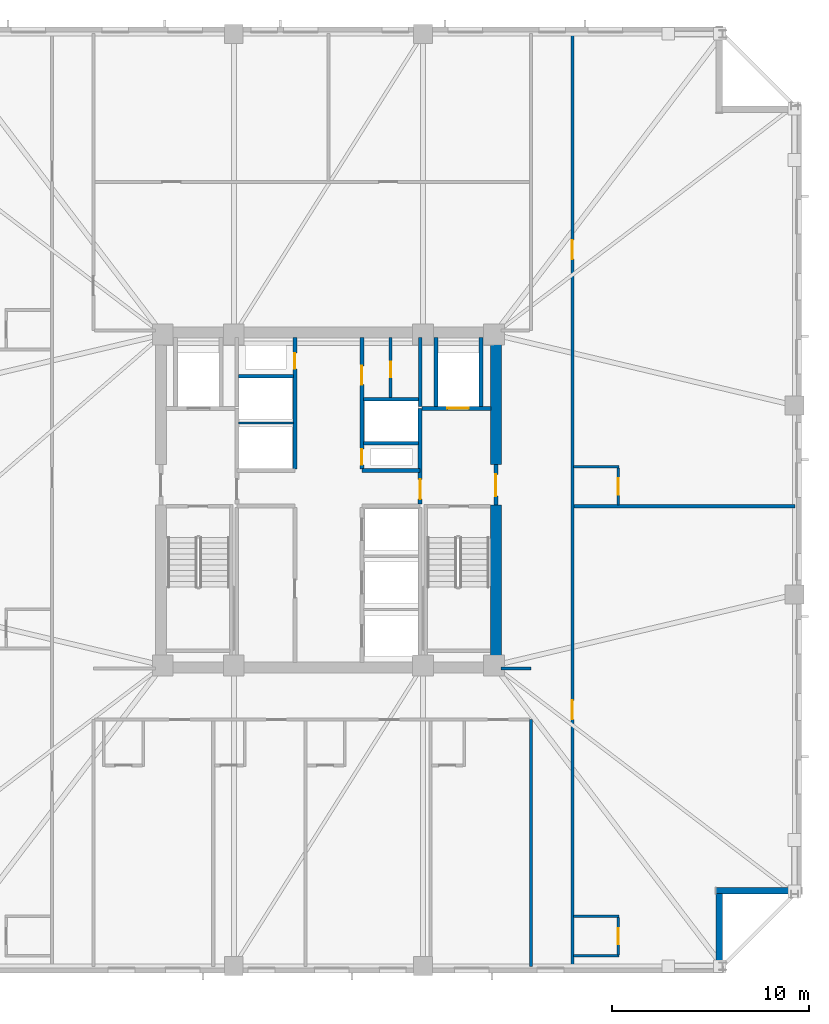
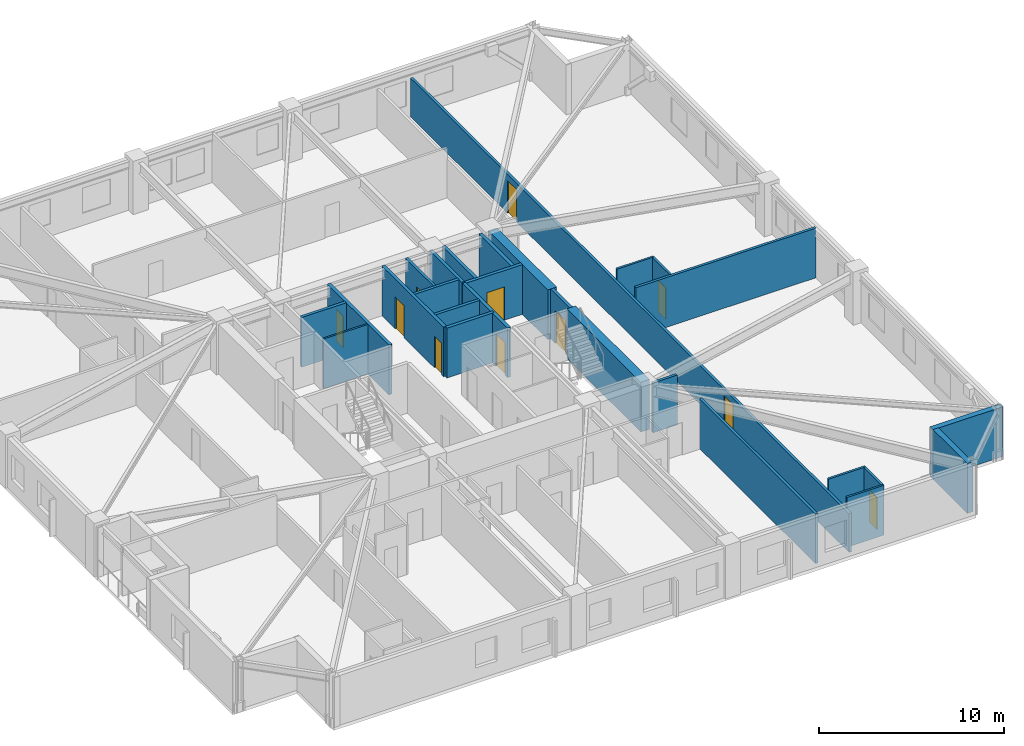
# One storey, part 4 of 10: 27 walls, 11 doors, 11 openings.
"""IFC4 building model written with IfcOpenShell, lengths in metres."""

from ifc_helpers import new_model, si_unit, direction, frame, frame_2d, origin, place, context, subcontext, project, spatial, rectangle, extrude, material, layer, layer_set, type_object, element, fill, save


model = new_model("IFC4")

# Units and contexts
model_context = context("Model", 3, precision=1e-05, world=origin(), true_north=direction((0.0, 1.0)))
body_context = subcontext(model_context, "Body", "Model", "MODEL_VIEW")
ifc_project = project(units=[si_unit("LENGTHUNIT", "METRE"), si_unit("AREAUNIT", "SQUARE_METRE"), si_unit("VOLUMEUNIT", "CUBIC_METRE"), si_unit("PLANEANGLEUNIT", "RADIAN"), si_unit("MASSUNIT", "GRAM", prefix="KILO")], contexts=[model_context])

# Site, building, storey
site_placement = place(None, origin())
site = spatial("IfcSite", under=ifc_project, at=site_placement, CompositionType="ELEMENT")
building_placement = place(site_placement, origin())
building = spatial("IfcBuilding", under=site, at=building_placement, Name="Cairnveth Concourse Tower", CompositionType="ELEMENT")
storey_placement = place(building_placement, frame((0.0, 0.0, 137.5)))
storey = spatial("IfcBuildingStorey", under=building, at=storey_placement, Name="L37", CompositionType="ELEMENT", Elevation=137.5)

# Wall, opening, door
ifc_material_1 = material(Name="Gypsum Plasterboard Partition", Category="gypsum")
ifc_layer_1 = layer(ifc_material_1, 0.159912109375)
ifc_layer_set_1 = layer_set([ifc_layer_1], Name="Gypsum Plasterboard Partition")
wall_type_1 = type_object("IfcWallType", Name="ACOUSTIC PARTY WALL 180", PredefinedType="PARTITIONING", material=ifc_layer_set_1)
wall_1_placement = place(storey_placement, frame((55.14990234375, 44.195068359375, 0.0), z_axis=(0.0, 0.0, 1.0), x_axis=(0.0, 1.0, 0.0)))
wall_1 = element("IfcWall", 1, at=wall_1_placement, inside=storey, type_object=wall_type_1, Name="Interior Wall IW-L37-035", PredefinedType="PARTITIONING", context=body_context, shape_type="SweptSolid", body=[
    extrude(rectangle(XDim=3.044921875, YDim=0.159912109375, at=frame_2d((1.5224609375, 0.0))), origin(), (0.0, 0.0, 1.0), 3.280029296875),
])
opening_1_placement = place(wall_1_placement, frame((1.02490234375, 0.0, 0.0)))
opening_1 = element("IfcOpeningElement", 2, at=opening_1_placement, cuts=wall_1, Name="Opening ID23", PredefinedType="OPENING", context=body_context, shape_type="SweptSolid", body=[
    extrude(rectangle(XDim=0.800048828125, YDim=2.10009765625, at=frame_2d((0.39990234375, 1.050048828125))), frame((0.0, 0.08984375, 0.0), z_axis=(0.0, -1.0, 0.0), x_axis=(1.0, 0.0, 0.0)), (0.0, 0.0, 1.0), 0.179931640625),
])
ifc_material_2 = material(Name="Steel Grade 350", Category="steel")
door_type_1 = type_object("IfcDoorType", Name="CORE SERVICE DOOR 800X2100", OperationType="NOTDEFINED", PredefinedType="DOOR", material=ifc_material_2)
door_1_placement = place(opening_1_placement, origin())
door_1 = element("IfcDoor", 3, at=door_1_placement, inside=storey, type_object=door_type_1, Name="NE Linen Closet Door L37", OperationType="SINGLE_SWING_RIGHT", OverallHeight=2.10009765625, OverallWidth=0.800048828125, PredefinedType="DOOR", context=body_context, shape_type="SweptSolid", body=[
    extrude(rectangle(XDim=0.800048828125, YDim=2.10009765625, at=frame_2d((0.39990234375, 1.050048828125))), frame((0.0, 0.02490234375, 0.0), z_axis=(0.0, -1.0, 0.0), x_axis=(1.0, 0.0, 0.0)), (0.0, 0.0, 1.0), 0.050048828125),
])
fill(opening_1, door_1)

# Wall, openings, doors
wall_2_placement = place(storey_placement, frame((64.375, 15.324951171875, 0.0), z_axis=(0.0, 0.0, 1.0), x_axis=(0.0, 1.0, 0.0)))
wall_2 = element("IfcWall", 4, at=wall_2_placement, inside=storey, type_object=wall_type_1, Name="Interior Wall IW-L37-041", PredefinedType="PARTITIONING", context=body_context, shape_type="SweptSolid", body=[
    extrude(rectangle(XDim=47.35009765625, YDim=0.159912109375, at=frame_2d((23.675048828125, 0.0))), origin(), (0.0, 0.0, 1.0), 2.554931640625),
])
opening_2_placement = place(wall_2_placement, frame((12.546630859375, 0.0, 0.0)))
opening_2 = element("IfcOpeningElement", 5, at=opening_2_placement, cuts=wall_2, Name="Opening ID09", PredefinedType="OPENING", context=body_context, shape_type="SweptSolid", body=[
    extrude(rectangle(XDim=0.9599609375, YDim=2.14990234375, at=frame_2d((0.47998046875, 1.074951171875))), frame((0.0, 0.08984375, 0.0), z_axis=(0.0, -1.0, 0.0), x_axis=(1.0, 0.0, 0.0)), (0.0, 0.0, 1.0), 0.179931640625),
])
opening_3_placement = place(wall_2_placement, frame((35.901611328125, 0.0, 0.0)))
opening_3 = element("IfcOpeningElement", 6, at=opening_3_placement, cuts=wall_2, Name="Opening ID09", PredefinedType="OPENING", context=body_context, shape_type="SweptSolid", body=[
    extrude(rectangle(XDim=0.9599609375, YDim=2.14990234375, at=frame_2d((0.47998046875, 1.074951171875))), frame((0.0, 0.08984375, 0.0), z_axis=(0.0, -1.0, 0.0), x_axis=(1.0, 0.0, 0.0)), (0.0, 0.0, 1.0), 0.179931640625),
])
ifc_material_3 = material(Name="Solid Core Hardwood Timber Leaf", Category="wood")
door_type_2 = type_object("IfcDoorType", Name="HOTEL ENTRANCE DOOR 960X2150", OperationType="NOTDEFINED", PredefinedType="DOOR", material=ifc_material_3)
door_2_placement = place(opening_2_placement, origin())
door_2 = element("IfcDoor", 7, at=door_2_placement, inside=storey, type_object=door_type_2, Name="Hotel Room Door L37-E1", OperationType="SINGLE_SWING_LEFT", OverallHeight=2.14990234375, OverallWidth=0.9599609375, PredefinedType="DOOR", context=body_context, shape_type="SweptSolid", body=[
    extrude(rectangle(XDim=0.9599609375, YDim=2.14990234375, at=frame_2d((0.47998046875, 1.074951171875))), frame((0.0, 0.02490234375, 0.0), z_axis=(0.0, -1.0, 0.0), x_axis=(1.0, 0.0, 0.0)), (0.0, 0.0, 1.0), 0.050048828125),
])
fill(opening_2, door_2)
door_3_placement = place(opening_3_placement, origin())
door_3 = element("IfcDoor", 8, at=door_3_placement, inside=storey, type_object=door_type_2, Name="Hotel Room Door L37-E2", OperationType="SINGLE_SWING_LEFT", OverallHeight=2.14990234375, OverallWidth=0.9599609375, PredefinedType="DOOR", context=body_context, shape_type="SweptSolid", body=[
    extrude(rectangle(XDim=0.9599609375, YDim=2.14990234375, at=frame_2d((0.47998046875, 1.074951171875))), frame((0.0, 0.02490234375, 0.0), z_axis=(0.0, -1.0, 0.0), x_axis=(1.0, 0.0, 0.0)), (0.0, 0.0, 1.0), 0.050048828125),
])
fill(opening_3, door_3)

# Walls
wall_3_placement = place(storey_placement, frame((62.27490234375, 15.324951171875, 0.0), z_axis=(0.0, 0.0, 1.0), x_axis=(0.0, 1.0, 0.0)))
element("IfcWall", 9, at=wall_3_placement, inside=storey, type_object=wall_type_1, Name="Interior Wall IW-L37-042", PredefinedType="PARTITIONING", context=body_context, shape_type="SweptSolid", body=[
    extrude(rectangle(XDim=12.53515625, YDim=0.159912109375, at=frame_2d((6.267578125, 0.0))), origin(), (0.0, 0.0, 1.0), 3.280029296875),
])
wall_4_placement = place(storey_placement, frame((60.764892578125, 30.449951171875, 0.0), z_axis=(0.0, 0.0, 1.0), x_axis=(1.0, 0.0, 0.0)))
element("IfcWall", 10, at=wall_4_placement, inside=storey, type_object=wall_type_1, Name="Interior Wall IW-L37-044", PredefinedType="PARTITIONING", context=body_context, shape_type="SweptSolid", body=[
    extrude(rectangle(XDim=1.510009765625, YDim=0.159912109375, at=frame_2d((0.7548828125, 0.0))), origin(), (0.0, 0.0, 1.0), 3.280029296875),
])
wall_5_placement = place(storey_placement, frame((64.455078125, 38.68310546875, 0.0), z_axis=(0.0, 0.0, 1.0), x_axis=(1.0, 0.0, 0.0)))
element("IfcWall", 11, at=wall_5_placement, inside=storey, type_object=wall_type_1, Name="Interior Wall IW-L37-073", PredefinedType="PARTITIONING", context=body_context, shape_type="SweptSolid", body=[
    extrude(rectangle(XDim=11.219970703125, YDim=0.159912109375, at=frame_2d((5.60986328125, 0.0))), origin(), (0.0, 0.0, 1.0), 3.280029296875),
])
ifc_material_4 = material(Name="Concrete N80 (80 MPa)", Category="concrete")
ifc_layer_2 = layer(ifc_material_4, 0.550048828125)
ifc_layer_set_2 = layer_set([ifc_layer_2], Name="Concrete N80 (80 MPa)")
wall_type_2 = type_object("IfcWallType", Name="CORE SHEAR WALL 550", PredefinedType="SHEAR", material=ifc_layer_set_2)
wall_6_placement = place(storey_placement, frame((60.5, 30.764892578125, 0.0), z_axis=(0.0, 0.0, 1.0), x_axis=(0.0, 1.0, 0.0)))
element("IfcWall", 12, at=wall_6_placement, inside=storey, type_object=wall_type_2, Name="Core East Shear Wall S L37", PredefinedType="SHEAR", context=body_context, shape_type="SweptSolid", body=[
    extrude(rectangle(XDim=7.985107421875, YDim=0.550048828125, at=frame_2d((3.99267578125, 0.0))), origin(), (0.0, 0.0, 1.0), 3.280029296875),
])
wall_7_placement = place(storey_placement, frame((60.5, 40.800048828125, 0.0), z_axis=(0.0, 0.0, 1.0), x_axis=(0.0, 1.0, 0.0)))
element("IfcWall", 13, at=wall_7_placement, inside=storey, type_object=wall_type_2, Name="Core East Shear Wall N L37", PredefinedType="SHEAR", context=body_context, shape_type="SweptSolid", body=[
    extrude(rectangle(XDim=6.43505859375, YDim=0.550048828125, at=frame_2d((3.217529296875, 0.0))), origin(), (0.0, 0.0, 1.0), 3.280029296875),
])
ifc_material_5 = material(Name="Concrete N50 (50 MPa)", Category="concrete")
ifc_layer_3 = layer(ifc_material_5, 0.179931640625)
ifc_layer_set_3 = layer_set([ifc_layer_3], Name="Concrete N50 (50 MPa)")
wall_type_3 = type_object("IfcWallType", Name="FIRE SHAFT WALL 180", PredefinedType="SOLIDWALL", material=ifc_layer_set_3)
wall_8_placement = place(storey_placement, frame((47.425048828125, 45.280029296875, 0.0), z_axis=(0.0, 0.0, 1.0), x_axis=(1.0, 0.0, 0.0)))
element("IfcWall", 14, at=wall_8_placement, inside=storey, type_object=wall_type_3, Name="Interior Wall IW-L37-031", PredefinedType="SOLIDWALL", context=body_context, shape_type="SweptSolid", body=[
    extrude(rectangle(XDim=2.7900390625, YDim=0.179931640625, at=frame_2d((1.39501953125, 0.0))), origin(), (0.0, 0.0, 1.0), 3.280029296875),
])
wall_9_placement = place(storey_placement, frame((56.64990234375, 43.735107421875, 0.0), z_axis=(0.0, 0.0, 1.0), x_axis=(0.0, 1.0, 0.0)))
element("IfcWall", 15, at=wall_9_placement, inside=storey, type_object=wall_type_3, Name="Interior Wall IW-L37-032", PredefinedType="SOLIDWALL", context=body_context, shape_type="SweptSolid", body=[
    extrude(rectangle(XDim=3.5048828125, YDim=0.179931640625, at=frame_2d((1.75244140625, 0.0))), origin(), (0.0, 0.0, 1.0), 3.280029296875),
])
wall_10_placement = place(storey_placement, frame((53.784912109375, 41.8798828125, 0.0), z_axis=(0.0, 0.0, 1.0), x_axis=(1.0, 0.0, 0.0)))
element("IfcWall", 16, at=wall_10_placement, inside=storey, type_object=wall_type_3, Name="Interior Wall IW-L37-033", PredefinedType="SOLIDWALL", context=body_context, shape_type="SweptSolid", body=[
    extrude(rectangle(XDim=2.780029296875, YDim=0.179931640625, at=frame_2d((1.39013671875, 0.0))), origin(), (0.0, 0.0, 1.0), 3.280029296875),
])
wall_11_placement = place(storey_placement, frame((53.784912109375, 44.1201171875, 0.0), z_axis=(0.0, 0.0, 1.0), x_axis=(1.0, 0.0, 0.0)))
element("IfcWall", 17, at=wall_11_placement, inside=storey, type_object=wall_type_3, Name="Interior Wall IW-L37-034", PredefinedType="SOLIDWALL", context=body_context, shape_type="SweptSolid", body=[
    extrude(rectangle(XDim=2.7900390625, YDim=0.179931640625, at=frame_2d((1.39501953125, 0.0))), origin(), (0.0, 0.0, 1.0), 3.280029296875),
])
ifc_layer_4 = layer(ifc_material_5, 0.199951171875)
ifc_layer_set_4 = layer_set([ifc_layer_4], Name="Concrete N50 (50 MPa)")
wall_type_4 = type_object("IfcWallType", Name="FIRE SHAFT WALL 200", PredefinedType="SOLIDWALL", material=ifc_layer_set_4)
wall_12_placement = place(storey_placement, frame((53.699951171875, 40.5, 0.0), z_axis=(0.0, 0.0, 1.0), x_axis=(1.0, 0.0, 0.0)))
element("IfcWall", 18, at=wall_12_placement, inside=storey, type_object=wall_type_4, Name="Interior Wall IW-L37-010", PredefinedType="SOLIDWALL", context=body_context, shape_type="SweptSolid", body=[
    extrude(rectangle(XDim=2.949951171875, YDim=0.199951171875, at=frame_2d((1.47509765625, 0.0))), origin(), (0.0, 0.0, 1.0), 3.280029296875),
])

# Wall, opening, door
wall_13_placement = place(storey_placement, frame((50.300048828125, 40.5849609375, 0.0), z_axis=(0.0, 0.0, 1.0), x_axis=(0.0, 1.0, 0.0)))
wall_13 = element("IfcWall", 19, at=wall_13_placement, inside=storey, type_object=wall_type_4, Name="Interior Wall IW-L37-013", PredefinedType="SOLIDWALL", context=body_context, shape_type="SweptSolid", body=[
    extrude(rectangle(XDim=6.655029296875, YDim=0.199951171875, at=frame_2d((3.32763671875, 0.0))), origin(), (0.0, 0.0, 1.0), 3.280029296875),
])
opening_4_placement = place(wall_13_placement, frame((5.06494140625, 0.0, 0.0)))
opening_4 = element("IfcOpeningElement", 20, at=opening_4_placement, cuts=wall_13, Name="Opening ID24", PredefinedType="OPENING", context=body_context, shape_type="SweptSolid", body=[
    extrude(rectangle(XDim=0.800048828125, YDim=2.080078125, at=frame_2d((0.39990234375, 1.0400390625))), frame((0.0, 0.10986328125, 0.0), z_axis=(0.0, -1.0, 0.0), x_axis=(1.0, 0.0, 0.0)), (0.0, 0.0, 1.0), 0.219970703125),
])
door_type_3 = type_object("IfcDoorType", Name="RISER ACCESS DOOR 800X2100", OperationType="NOTDEFINED", PredefinedType="DOOR", material=ifc_material_2)
door_4_placement = place(opening_4_placement, origin())
door_4 = element("IfcDoor", 21, at=door_4_placement, inside=storey, type_object=door_type_3, Name="NW Electrical Riser Access Door L37", OperationType="SINGLE_SWING_LEFT", OverallHeight=2.080078125, OverallWidth=0.800048828125, PredefinedType="DOOR", context=body_context, shape_type="SweptSolid", body=[
    extrude(rectangle(XDim=0.800048828125, YDim=2.080078125, at=frame_2d((0.39990234375, 1.0400390625))), frame((0.0, 0.02490234375, 0.0), z_axis=(0.0, -1.0, 0.0), x_axis=(1.0, 0.0, 0.0)), (0.0, 0.0, 1.0), 0.050048828125),
])
fill(opening_4, door_4)

# Wall, openings, doors
wall_14_placement = place(storey_placement, frame((53.699951171875, 40.5849609375, 0.0), z_axis=(0.0, 0.0, 1.0), x_axis=(0.0, 1.0, 0.0)))
wall_14 = element("IfcWall", 22, at=wall_14_placement, inside=storey, type_object=wall_type_4, Name="Interior Wall IW-L37-014", PredefinedType="SOLIDWALL", context=body_context, shape_type="SweptSolid", body=[
    extrude(rectangle(XDim=6.655029296875, YDim=0.199951171875, at=frame_2d((3.32763671875, 0.0))), origin(), (0.0, 0.0, 1.0), 3.280029296875),
])
opening_5_placement = place(wall_14_placement, frame((0.195068359375, 0.0, 0.0)))
opening_5 = element("IfcOpeningElement", 23, at=opening_5_placement, cuts=wall_14, Name="Opening ID24", PredefinedType="OPENING", context=body_context, shape_type="SweptSolid", body=[
    extrude(rectangle(XDim=0.800048828125, YDim=2.080078125, at=frame_2d((0.39990234375, 1.0400390625))), frame((0.0, 0.10986328125, 0.0), z_axis=(0.0, -1.0, 0.0), x_axis=(1.0, 0.0, 0.0)), (0.0, 0.0, 1.0), 0.219970703125),
])
opening_6_placement = place(wall_14_placement, frame((4.264892578125, 0.0, 0.0)))
opening_6 = element("IfcOpeningElement", 24, at=opening_6_placement, cuts=wall_14, Name="Opening ID25", PredefinedType="OPENING", context=body_context, shape_type="SweptSolid", body=[
    extrude(rectangle(XDim=0.949951171875, YDim=2.1201171875, at=frame_2d((0.47509765625, 1.06005859375))), frame((0.0, 0.10986328125, 0.0), z_axis=(0.0, -1.0, 0.0), x_axis=(1.0, 0.0, 0.0)), (0.0, 0.0, 1.0), 0.219970703125),
])
door_type_4 = type_object("IfcDoorType", Name="CORE ACCESSIBLE FIRE DOOR 950X2120", OperationType="NOTDEFINED", PredefinedType="DOOR", material=ifc_material_2)
door_5_placement = place(opening_6_placement, origin())
door_5 = element("IfcDoor", 25, at=door_5_placement, inside=storey, type_object=door_type_4, Name="Core NE Restroom Door L37", OperationType="SINGLE_SWING_LEFT", OverallHeight=2.1201171875, OverallWidth=0.949951171875, PredefinedType="DOOR", context=body_context, shape_type="SweptSolid", body=[
    extrude(rectangle(XDim=0.949951171875, YDim=2.1201171875, at=frame_2d((0.47509765625, 1.06005859375))), frame((0.0, 0.02490234375, 0.0), z_axis=(0.0, -1.0, 0.0), x_axis=(1.0, 0.0, 0.0)), (0.0, 0.0, 1.0), 0.050048828125),
])
fill(opening_6, door_5)
door_6_placement = place(opening_5_placement, origin())
door_6 = element("IfcDoor", 26, at=door_6_placement, inside=storey, type_object=door_type_3, Name="Hydraulic Riser Door L37", OperationType="SINGLE_SWING_RIGHT", OverallHeight=2.080078125, OverallWidth=0.800048828125, PredefinedType="DOOR", context=body_context, shape_type="SweptSolid", body=[
    extrude(rectangle(XDim=0.800048828125, YDim=2.080078125, at=frame_2d((0.39990234375, 1.0400390625))), frame((0.0, 0.02490234375, 0.0), z_axis=(0.0, -1.0, 0.0), x_axis=(1.0, 0.0, 0.0)), (0.0, 0.0, 1.0), 0.050048828125),
])
fill(opening_5, door_6)

# Wall, opening, door
wall_15_placement = place(storey_placement, frame((60.5, 38.75, 0.0), z_axis=(0.0, 0.0, 1.0), x_axis=(0.0, 1.0, 0.0)))
wall_15 = element("IfcWall", 27, at=wall_15_placement, inside=storey, type_object=wall_type_4, Name="Interior Wall IW-L37-020", PredefinedType="SOLIDWALL", context=body_context, shape_type="SweptSolid", body=[
    extrude(rectangle(XDim=2.050048828125, YDim=0.199951171875, at=frame_2d((1.02490234375, 0.0))), origin(), (0.0, 0.0, 1.0), 3.280029296875),
])
opening_7_placement = place(wall_15_placement, frame((0.449951171875, 0.0, 0.0)))
opening_7 = element("IfcOpeningElement", 28, at=opening_7_placement, cuts=wall_15, Name="Opening ID06", PredefinedType="OPENING", context=body_context, shape_type="SweptSolid", body=[
    extrude(rectangle(XDim=1.10009765625, YDim=2.14990234375, at=frame_2d((0.550048828125, 1.074951171875))), frame((0.0, 0.10986328125, 0.0), z_axis=(0.0, -1.0, 0.0), x_axis=(1.0, 0.0, 0.0)), (0.0, 0.0, 1.0), 0.219970703125),
])
door_type_5 = type_object("IfcDoorType", Name="FIRE CORRIDOR DOOR 1100X2150", OperationType="NOTDEFINED", PredefinedType="DOOR", material=ifc_material_2)
door_7_placement = place(opening_7_placement, origin())
door_7 = element("IfcDoor", 29, at=door_7_placement, inside=storey, type_object=door_type_5, Name="East Wing to FF Lobby Door L37", OperationType="SINGLE_SWING_RIGHT", OverallHeight=2.14990234375, OverallWidth=1.10009765625, PredefinedType="DOOR", context=body_context, shape_type="SweptSolid", body=[
    extrude(rectangle(XDim=1.10009765625, YDim=2.14990234375, at=frame_2d((0.550048828125, 1.074951171875))), frame((0.0, 0.02490234375, 0.0), z_axis=(0.0, -1.0, 0.0), x_axis=(1.0, 0.0, 0.0)), (0.0, 0.0, 1.0), 0.050048828125),
])
fill(opening_7, door_7)

wall_16_placement = place(storey_placement, frame((56.64990234375, 38.784912109375, 0.0), z_axis=(0.0, 0.0, 1.0), x_axis=(0.0, 1.0, 0.0)))
wall_16 = element("IfcWall", 30, at=wall_16_placement, inside=storey, type_object=wall_type_4, Name="Interior Wall IW-L37-021", PredefinedType="SOLIDWALL", context=body_context, shape_type="SweptSolid", body=[
    extrude(rectangle(XDim=4.864990234375, YDim=0.199951171875, at=frame_2d((2.4326171875, 0.0))), origin(), (0.0, 0.0, 1.0), 3.280029296875),
])
opening_8_placement = place(wall_16_placement, frame((0.264892578125, 0.0, 0.0)))
opening_8 = element("IfcOpeningElement", 31, at=opening_8_placement, cuts=wall_16, Name="Opening ID07", PredefinedType="OPENING", context=body_context, shape_type="SweptSolid", body=[
    extrude(rectangle(XDim=1.0, YDim=2.14990234375, at=frame_2d((0.5, 1.074951171875))), frame((0.0, 0.10986328125, 0.0), z_axis=(0.0, -1.0, 0.0), x_axis=(1.0, 0.0, 0.0)), (0.0, 0.0, 1.0), 0.219970703125),
])
door_type_6 = type_object("IfcDoorType", Name="FIRE CORRIDOR DOOR 1000X2150", OperationType="NOTDEFINED", PredefinedType="DOOR", material=ifc_material_2)
door_8_placement = place(opening_8_placement, origin())
door_8 = element("IfcDoor", 32, at=door_8_placement, inside=storey, type_object=door_type_6, Name="FF Lobby East to Lift Lobby Door L37", OperationType="SINGLE_SWING_LEFT", OverallHeight=2.14990234375, OverallWidth=1.0, PredefinedType="DOOR", context=body_context, shape_type="SweptSolid", body=[
    extrude(rectangle(XDim=1.0, YDim=2.14990234375, at=frame_2d((0.5, 1.074951171875))), frame((0.0, 0.02490234375, 0.0), z_axis=(0.0, -1.0, 0.0), x_axis=(1.0, 0.0, 0.0)), (0.0, 0.0, 1.0), 0.050048828125),
])
fill(opening_8, door_8)

wall_17_placement = place(storey_placement, frame((56.735107421875, 43.64990234375, 0.0), z_axis=(0.0, 0.0, 1.0), x_axis=(1.0, 0.0, 0.0)))
wall_17 = element("IfcWall", 33, at=wall_17_placement, inside=storey, type_object=wall_type_4, Name="Interior Wall IW-L37-022", PredefinedType="SOLIDWALL", context=body_context, shape_type="SweptSolid", body=[
    extrude(rectangle(XDim=3.5048828125, YDim=0.199951171875, at=frame_2d((1.75244140625, 0.0))), origin(), (0.0, 0.0, 1.0), 3.280029296875),
])
opening_9_placement = place(wall_17_placement, frame((1.294921875, 0.0, 0.0)))
opening_9 = element("IfcOpeningElement", 34, at=opening_9_placement, cuts=wall_17, Name="Opening LD-1", PredefinedType="OPENING", context=body_context, shape_type="SweptSolid", body=[
    extrude(rectangle(XDim=1.10009765625, YDim=2.199951171875, at=frame_2d((0.550048828125, 1.10009765625))), frame((0.0, 0.10986328125, 0.0), z_axis=(0.0, -1.0, 0.0), x_axis=(1.0, 0.0, 0.0)), (0.0, 0.0, 1.0), 0.219970703125),
])
ifc_material_6 = material(Name="Architectural Bronze Anodised Aluminium 6063-T6", Category="aluminium")
door_type_7 = type_object("IfcDoorType", Name="LIFT LANDING DOOR 1100X2200", OperationType="SLIDING_TO_LEFT", PredefinedType="DOOR", material=ifc_material_6)
door_9_placement = place(opening_9_placement, origin())
door_9 = element("IfcDoor", 35, at=door_9_placement, inside=storey, type_object=door_type_7, Name="Lift FFL2 Landing Door L37", OperationType="SLIDING_TO_LEFT", OverallHeight=2.199951171875, OverallWidth=1.10009765625, PredefinedType="DOOR", context=body_context, shape_type="SweptSolid", body=[
    extrude(rectangle(XDim=1.10009765625, YDim=2.199951171875, at=frame_2d((0.550048828125, 1.10009765625))), frame((0.0, 0.02490234375, 0.0), z_axis=(0.0, -1.0, 0.0), x_axis=(1.0, 0.0, 0.0)), (0.0, 0.0, 1.0), 0.050048828125),
])
fill(opening_9, door_9)

# Walls
for number, where, z_axis, x_axis, name in (
    (36, (57.449951171875, 43.735107421875, 0.0), (0.0, 0.0, 1.0), (0.0, 1.0, 0.0), "Interior Wall IW-L37-023"),
    (37, (59.75, 43.735107421875, 0.0), (0.0, 0.0, 1.0), (0.0, 1.0, 0.0), "Interior Wall IW-L37-024"),
):
    element("IfcWall", number, at=place(storey_placement, frame(where, z_axis=z_axis, x_axis=x_axis)), inside=storey, type_object=wall_type_4, Name=name, PredefinedType="SOLIDWALL", context=body_context, shape_type="SweptSolid", body=[
        extrude(rectangle(XDim=3.5048828125, YDim=0.199951171875, at=frame_2d((1.75244140625, 0.0))), origin(), (0.0, 0.0, 1.0), 3.280029296875),
    ])
ifc_layer_5 = layer(ifc_material_1, 0.110107421875)
ifc_layer_set_5 = layer_set([ifc_layer_5], Name="Gypsum Plasterboard Partition")
wall_type_5 = type_object("IfcWallType", Name="SHAFT DIVIDER WALL 140", PredefinedType="PARTITIONING", material=ifc_layer_set_5)
wall_18_placement = place(storey_placement, frame((47.43505859375, 42.89990234375, 0.0), z_axis=(0.0, 0.0, 1.0), x_axis=(1.0, 0.0, 0.0)))
element("IfcWall", 38, at=wall_18_placement, inside=storey, type_object=wall_type_5, Name="Interior Wall IW-L37-030", PredefinedType="PARTITIONING", context=body_context, shape_type="SweptSolid", body=[
    extrude(rectangle(XDim=2.780029296875, YDim=0.110107421875, at=frame_2d((1.39013671875, 0.0))), origin(), (0.0, 0.0, 1.0), 3.280029296875),
])
ifc_layer_6 = layer(ifc_material_1, 0.1298828125)
ifc_layer_set_6 = layer_set([ifc_layer_6], Name="Gypsum Plasterboard Partition")
wall_type_6 = type_object("IfcWallType", Name="WET AREA PARTITION 140", PredefinedType="PLUMBINGWALL", material=ifc_layer_set_6)
for number, where, z_axis, x_axis, name in (
    (39, (64.43994140625, 15.8701171875, 0.0), (0.0, 0.0, 1.0), (1.0, 0.0, 0.0), "Interior Wall IW-L37-070"),
    (40, (64.43994140625, 17.8701171875, 0.0), (0.0, 0.0, 1.0), (1.0, 0.0, 0.0), "Interior Wall IW-L37-071"),
):
    element("IfcWall", number, at=place(storey_placement, frame(where, z_axis=z_axis, x_axis=x_axis)), inside=storey, type_object=wall_type_6, Name=name, PredefinedType="PLUMBINGWALL", context=body_context, shape_type="SweptSolid", body=[
        extrude(rectangle(XDim=2.31494140625, YDim=0.1298828125, at=frame_2d((1.157470703125, 0.0))), origin(), (0.0, 0.0, 1.0), 3.280029296875),
    ])

# Wall, opening, door
wall_19_placement = place(storey_placement, frame((66.705078125, 15.919921875, 0.0), z_axis=(0.0, 0.0, 1.0), x_axis=(0.0, 1.0, 0.0)))
wall_19 = element("IfcWall", 41, at=wall_19_placement, inside=storey, type_object=wall_type_6, Name="Interior Wall IW-L37-072", PredefinedType="PLUMBINGWALL", context=body_context, shape_type="SweptSolid", body=[
    extrude(rectangle(XDim=1.900146484375, YDim=0.1298828125, at=frame_2d((0.9501953125, 0.0))), origin(), (0.0, 0.0, 1.0), 3.280029296875),
])
opening_10_placement = place(wall_19_placement, frame((0.5400390625, 0.0, 0.0)))
opening_10 = element("IfcOpeningElement", 42, at=opening_10_placement, cuts=wall_19, Name="Opening ID22", PredefinedType="OPENING", context=body_context, shape_type="SweptSolid", body=[
    extrude(rectangle(XDim=0.820068359375, YDim=2.10009765625, at=frame_2d((0.41015625, 1.050048828125))), frame((0.0, 0.074951171875, 0.0), z_axis=(0.0, -1.0, 0.0), x_axis=(1.0, 0.0, 0.0)), (0.0, 0.0, 1.0), 0.14990234375),
])
door_type_8 = type_object("IfcDoorType", Name="INTERIOR WC DOOR 820X2100", OperationType="NOTDEFINED", PredefinedType="DOOR", material=ifc_material_3)
door_10_placement = place(opening_10_placement, origin())
door_10 = element("IfcDoor", 43, at=door_10_placement, inside=storey, type_object=door_type_8, Name="En-Suite Door L37-E1", OperationType="SINGLE_SWING_RIGHT", OverallHeight=2.10009765625, OverallWidth=0.820068359375, PredefinedType="DOOR", context=body_context, shape_type="SweptSolid", body=[
    extrude(rectangle(XDim=0.820068359375, YDim=2.10009765625, at=frame_2d((0.41015625, 1.050048828125))), frame((0.0, 0.02490234375, 0.0), z_axis=(0.0, -1.0, 0.0), x_axis=(1.0, 0.0, 0.0)), (0.0, 0.0, 1.0), 0.050048828125),
])
fill(opening_10, door_10)

# Wall
wall_20_placement = place(storey_placement, frame((64.43994140625, 40.68310546875, 0.0), z_axis=(0.0, 0.0, 1.0), x_axis=(1.0, 0.0, 0.0)))
element("IfcWall", 44, at=wall_20_placement, inside=storey, type_object=wall_type_6, Name="Interior Wall IW-L37-074", PredefinedType="PLUMBINGWALL", context=body_context, shape_type="SweptSolid", body=[
    extrude(rectangle(XDim=2.31494140625, YDim=0.1298828125, at=frame_2d((1.157470703125, 0.0))), origin(), (0.0, 0.0, 1.0), 3.280029296875),
])

# Wall, opening, door
wall_21_placement = place(storey_placement, frame((66.705078125, 38.748046875, 0.0), z_axis=(0.0, 0.0, 1.0), x_axis=(0.0, 1.0, 0.0)))
wall_21 = element("IfcWall", 45, at=wall_21_placement, inside=storey, type_object=wall_type_6, Name="Interior Wall IW-L37-075", PredefinedType="PLUMBINGWALL", context=body_context, shape_type="SweptSolid", body=[
    extrude(rectangle(XDim=1.885009765625, YDim=0.1298828125, at=frame_2d((0.9423828125, 0.0))), origin(), (0.0, 0.0, 1.0), 3.280029296875),
])
opening_11_placement = place(wall_21_placement, frame((0.52490234375, 0.0, 0.0)))
opening_11 = element("IfcOpeningElement", 46, at=opening_11_placement, cuts=wall_21, Name="Opening ID22", PredefinedType="OPENING", context=body_context, shape_type="SweptSolid", body=[
    extrude(rectangle(XDim=0.820068359375, YDim=2.10009765625, at=frame_2d((0.41015625, 1.050048828125))), frame((0.0, 0.074951171875, 0.0), z_axis=(0.0, -1.0, 0.0), x_axis=(1.0, 0.0, 0.0)), (0.0, 0.0, 1.0), 0.14990234375),
])
door_11_placement = place(opening_11_placement, origin())
door_11 = element("IfcDoor", 47, at=door_11_placement, inside=storey, type_object=door_type_8, Name="En-Suite Door L37-E2", OperationType="SINGLE_SWING_RIGHT", OverallHeight=2.10009765625, OverallWidth=0.820068359375, PredefinedType="DOOR", context=body_context, shape_type="SweptSolid", body=[
    extrude(rectangle(XDim=0.820068359375, YDim=2.10009765625, at=frame_2d((0.41015625, 1.050048828125))), frame((0.0, 0.02490234375, 0.0), z_axis=(0.0, -1.0, 0.0), x_axis=(1.0, 0.0, 0.0)), (0.0, 0.0, 1.0), 0.050048828125),
])
fill(opening_11, door_11)

# Walls
ifc_material_7 = material(Name="Hawthorn Red-Ochre Fired Clay Brick Masonry", Category="masonry")
ifc_layer_7 = layer(ifc_material_7, 0.340087890625)
ifc_layer_set_7 = layer_set([ifc_layer_7], Name="Hawthorn Red-Ochre Fired Clay Brick Masonry")
wall_type_7 = type_object("IfcWallType", Name="ZONE 2 BRICK PIER SPANDREL WALL 340", PredefinedType="SOLIDWALL", material=ifc_layer_set_7)
wall_22_placement = place(storey_placement, frame((76.0, 19.169921875, 0.0), z_axis=(0.0, 0.0, 1.0), x_axis=(-1.0, 0.0, 0.0)))
element("IfcWall", 48, at=wall_22_placement, inside=storey, type_object=wall_type_7, Name="Exterior Wall EW-L37-S07", PredefinedType="SOLIDWALL", context=body_context, shape_type="SweptSolid", body=[
    extrude(rectangle(XDim=4.340087890625, YDim=0.340087890625, at=frame_2d((2.169921875, 0.0))), origin(), (0.0, 0.0, 1.0), 3.280029296875),
])
wall_23_placement = place(storey_placement, frame((71.830078125, 19.02197265625, 0.0), z_axis=(0.0, 0.0, 1.0), x_axis=(0.0, -1.0, 0.0)))
element("IfcWall", 49, at=wall_23_placement, inside=storey, type_object=wall_type_7, Name="Exterior Wall EW-L37-S08", PredefinedType="SOLIDWALL", context=body_context, shape_type="SweptSolid", body=[
    extrude(rectangle(XDim=3.703857421875, YDim=0.340087890625, at=frame_2d((1.85205078125, 0.0))), origin(), (0.0, 0.0, 1.0), 3.280029296875),
])

save(model, "model.ifc")
